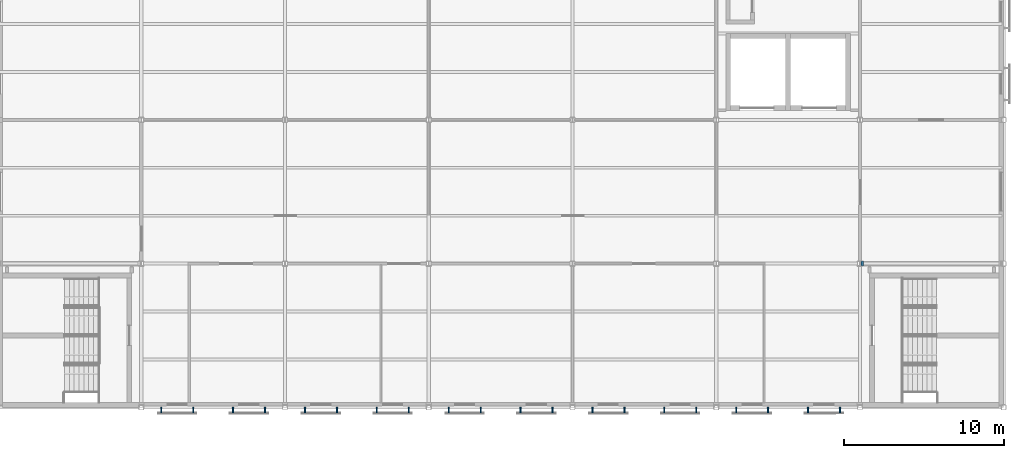
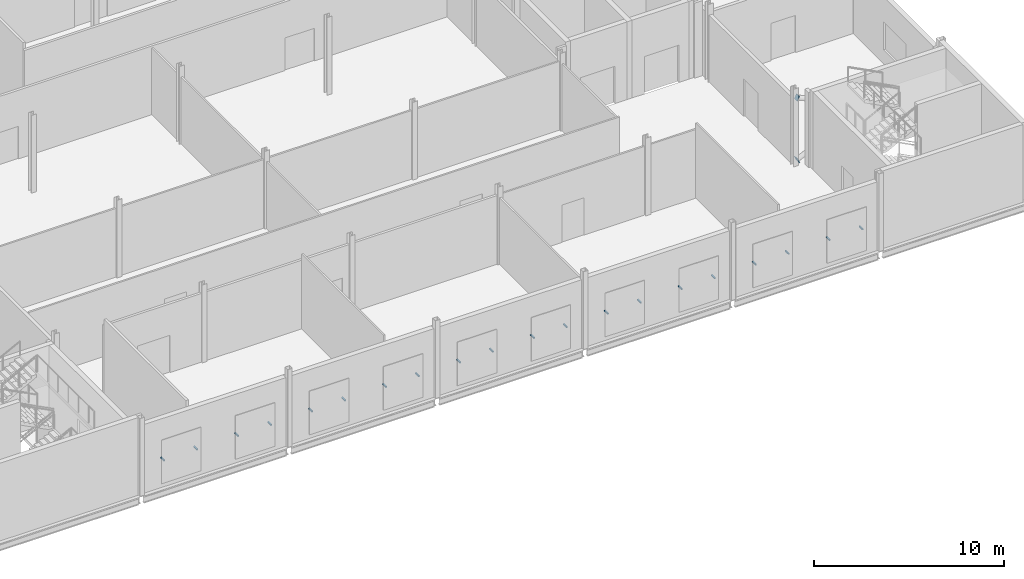
# One storey, part 97 of 112: 22 discrete accessories.
"""IFC4 building model written with IfcOpenShell, lengths in metres."""

from ifc_helpers import new_model, si_unit, direction, frame, origin, origin_2d, place, context, subcontext, project, spatial, polyline, rectangle, outline, extrude, material, layer, layer_set, type_object, element, save


model = new_model("IFC4")

# Units and contexts
model_context = context("Model", 3, precision=1e-05, world=origin(), true_north=direction((0.0, 1.0)))
body_context = subcontext(model_context, "Body", "Model", "MODEL_VIEW")
ifc_project = project(units=[si_unit("LENGTHUNIT", "METRE"), si_unit("AREAUNIT", "SQUARE_METRE"), si_unit("VOLUMEUNIT", "CUBIC_METRE"), si_unit("PLANEANGLEUNIT", "RADIAN"), si_unit("MASSUNIT", "GRAM", prefix="KILO")], contexts=[model_context])

# Site, building, storey
site_placement = place(None, origin())
site = spatial("IfcSite", under=ifc_project, at=site_placement, CompositionType="ELEMENT")
building_placement = place(site_placement, origin())
building = spatial("IfcBuilding", under=site, at=building_placement, Name="Shorebreak Coast Museum", CompositionType="ELEMENT")
storey_placement = place(building_placement, frame((0.0, 0.0, 6.0)))
storey = spatial("IfcBuildingStorey", under=building, at=storey_placement, Name="L01", CompositionType="ELEMENT", Elevation=6.0)

# Discrete accessories
ifc_material_1 = material(Name="Steel Grade 300", Category="steel")
ifc_layer = layer(ifc_material_1, 0.02490234375)
ifc_layer_set = layer_set([ifc_layer], Name="Steel Grade 300")
discrete_accessory_type_1 = type_object("IfcDiscreteAccessoryType", Name="End plate 300 x 300 x 25", PredefinedType="BRACKET", material=ifc_layer_set)
discrete_accessory_1_placement = place(storey_placement, frame((108.216796875, 8.85009765625, 0.16357421875), z_axis=(0.909360103086, 0.0, 0.416009859156), x_axis=(0.0, 1.0, 0.0)))
element("IfcDiscreteAccessory", 1, at=discrete_accessory_1_placement, inside=storey, type_object=discrete_accessory_type_1, Name="End plate X-brace bay 14 L01 diagonal 1 end 1", PredefinedType="BRACKET", context=body_context, shape_type="SweptSolid", body=[
    extrude(outline(polyline([(0.0, 0.0), (0.2998046875, 0.0), (0.2998046875, 0.29988678544336883), (0.0, 0.29988678544336883), (0.0, 0.0)])), origin(), (0.0, 0.0, -1.0), 0.02490234375),
])
discrete_accessory_2_placement = place(storey_placement, frame((108.0693359375, 9.14990234375, 4.14892578125), z_axis=(-0.909500839953, 0.0, 0.415702083378), x_axis=(0.0, -1.0, 0.0)))
element("IfcDiscreteAccessory", 2, at=discrete_accessory_2_placement, inside=storey, type_object=discrete_accessory_type_1, Name="End plate X-brace bay 14 L01 diagonal 2 end 2", PredefinedType="BRACKET", context=body_context, shape_type="SweptSolid", body=[
    extrude(outline(polyline([(0.0, 0.0), (0.2998046875, 0.0), (0.2998046875, 0.30010881437343706), (0.0, 0.30010881437343706), (0.0, 0.0)])), origin(), (0.0, 0.0, -1.0), 0.02490234375),
])
ifc_material_2 = material(Name="Aluminium", Category="aluminium")
discrete_accessory_type_2 = type_object("IfcDiscreteAccessoryType", Name="Fixing bracket 80 x 350", PredefinedType="BRACKET", material=ifc_material_2)
for number, where, z_axis, x_axis, name in (
    (3, (64.25, -0.175048828125, 1.909912109375), (0.0, 0.0, 1.0), (1.0, 0.0, 0.0), "Fixing bracket"),
    (4, (66.25, -0.175048828125, 1.909912109375), (0.0, 0.0, 1.0), (1.0, 0.0, 0.0), "Fixing bracket"),
    (5, (68.75, -0.175048828125, 1.909912109375), (0.0, 0.0, 1.0), (1.0, 0.0, 0.0), "Fixing bracket"),
    (6, (70.75, -0.175048828125, 1.909912109375), (0.0, 0.0, 1.0), (1.0, 0.0, 0.0), "Fixing bracket"),
    (7, (73.25, -0.175048828125, 1.909912109375), (0.0, 0.0, 1.0), (1.0, 0.0, 0.0), "Fixing bracket"),
    (8, (75.25, -0.175048828125, 1.909912109375), (0.0, 0.0, 1.0), (1.0, 0.0, 0.0), "Fixing bracket"),
    (9, (77.75, -0.175048828125, 1.909912109375), (0.0, 0.0, 1.0), (1.0, 0.0, 0.0), "Fixing bracket"),
    (10, (79.75, -0.175048828125, 1.909912109375), (0.0, 0.0, 1.0), (1.0, 0.0, 0.0), "Fixing bracket"),
    (11, (82.25, -0.175048828125, 1.909912109375), (0.0, 0.0, 1.0), (1.0, 0.0, 0.0), "Fixing bracket"),
    (12, (84.25, -0.175048828125, 1.909912109375), (0.0, 0.0, 1.0), (1.0, 0.0, 0.0), "Fixing bracket"),
    (13, (86.75, -0.175048828125, 1.909912109375), (0.0, 0.0, 1.0), (1.0, 0.0, 0.0), "Fixing bracket"),
    (14, (88.75, -0.175048828125, 1.909912109375), (0.0, 0.0, 1.0), (1.0, 0.0, 0.0), "Fixing bracket"),
    (15, (91.25, -0.175048828125, 1.909912109375), (0.0, 0.0, 1.0), (1.0, 0.0, 0.0), "Fixing bracket"),
    (16, (93.25, -0.175048828125, 1.909912109375), (0.0, 0.0, 1.0), (1.0, 0.0, 0.0), "Fixing bracket"),
    (17, (95.75, -0.175048828125, 1.909912109375), (0.0, 0.0, 1.0), (1.0, 0.0, 0.0), "Fixing bracket"),
    (18, (97.75, -0.175048828125, 1.909912109375), (0.0, 0.0, 1.0), (1.0, 0.0, 0.0), "Fixing bracket"),
    (19, (100.25, -0.175048828125, 1.909912109375), (0.0, 0.0, 1.0), (1.0, 0.0, 0.0), "Fixing bracket"),
    (20, (102.25, -0.175048828125, 1.909912109375), (0.0, 0.0, 1.0), (1.0, 0.0, 0.0), "Fixing bracket"),
    (21, (104.75, -0.175048828125, 1.909912109375), (0.0, 0.0, 1.0), (1.0, 0.0, 0.0), "Fixing bracket"),
    (22, (106.75, -0.175048828125, 1.909912109375), (0.0, 0.0, 1.0), (1.0, 0.0, 0.0), "Fixing bracket"),
):
    element("IfcDiscreteAccessory", number, at=place(storey_placement, frame(where, z_axis=z_axis, x_axis=x_axis)), inside=storey, type_object=discrete_accessory_type_2, Name=name, PredefinedType="BRACKET", context=body_context, shape_type="SweptSolid", body=[
        extrude(rectangle(XDim=0.080078125, YDim=0.35009765625, at=origin_2d()), origin(), (0.0, 0.0, 1.0), 0.080078125),
    ])

save(model, "model.ifc")
